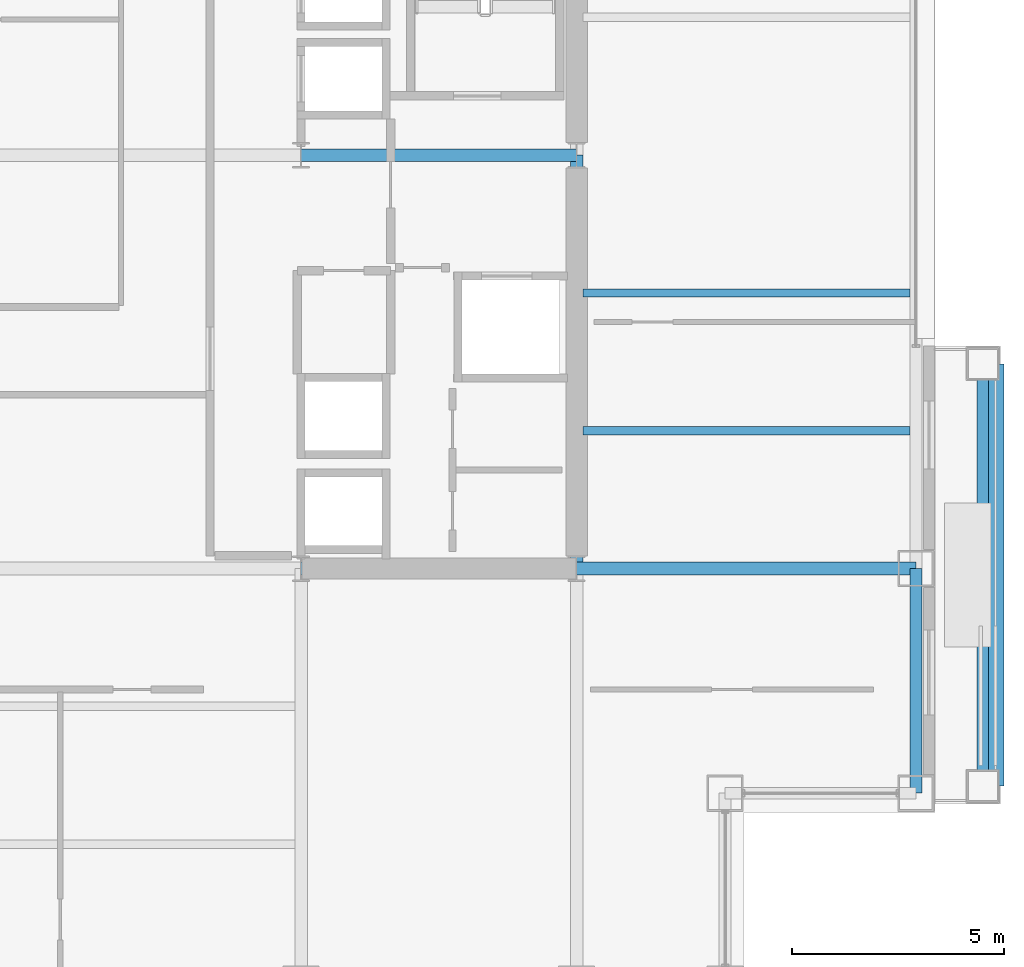
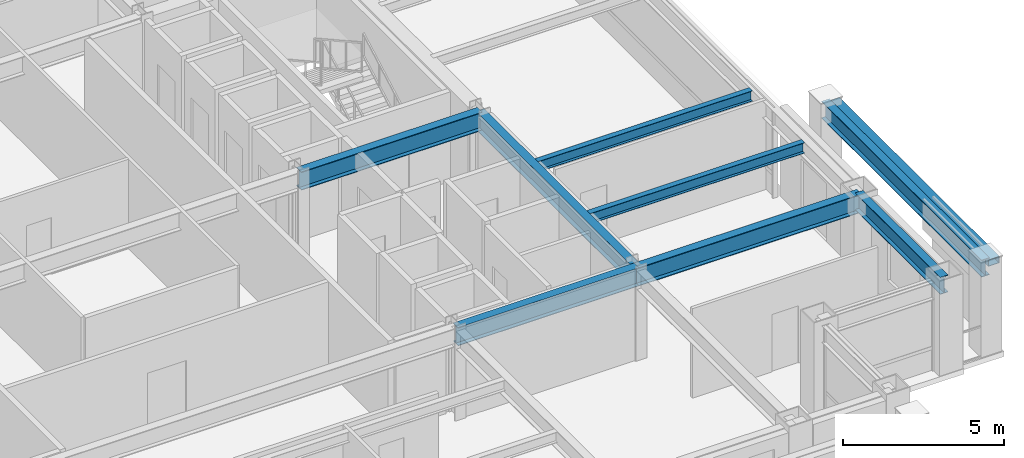
# One storey, part 14 of 31: 8 beams, 1 member.
"""IFC4 building model written with IfcOpenShell, lengths in metres."""

from ifc_helpers import new_model, si_unit, direction, frame, origin, origin_2d, place, context, subcontext, project, spatial, hollow_rectangle, i_section, extrude, material, material_profile, profile_set, type_object, element, save


model = new_model("IFC4")

# Units and contexts
model_context = context("Model", 3, precision=1e-05, world=origin(), true_north=direction((0.0, 1.0)))
body_context = subcontext(model_context, "Body", "Model", "MODEL_VIEW")
ifc_project = project(units=[si_unit("LENGTHUNIT", "METRE"), si_unit("AREAUNIT", "SQUARE_METRE"), si_unit("VOLUMEUNIT", "CUBIC_METRE"), si_unit("PLANEANGLEUNIT", "RADIAN"), si_unit("MASSUNIT", "GRAM", prefix="KILO")], contexts=[model_context])

# Site, building, storey
site_placement = place(None, origin())
site = spatial("IfcSite", under=ifc_project, at=site_placement, CompositionType="ELEMENT")
building_placement = place(site_placement, origin())
building = spatial("IfcBuilding", under=site, at=building_placement, Name="Brelmoor Portico Tower", CompositionType="ELEMENT")
storey_placement = place(building_placement, frame((0.0, 0.0, 113.39990234375)))
storey = spatial("IfcBuildingStorey", under=building, at=storey_placement, Name="L29", CompositionType="ELEMENT", Elevation=113.39990234375)

# Beams
ifc_material_1 = material(Name="Steel Q355B", Category="steel")
ifc_material_profile_1 = material_profile(ifc_material_1, i_section(OverallWidth=0.199951171875, OverallDepth=0.39990234375, WebThickness=0.008056640625, FlangeThickness=0.012939453125, at=origin_2d()), Name="HN 400x200x8x13")
ifc_profile_set_1 = profile_set([ifc_material_profile_1], Name="Steel Q355B")
beam_type_1 = type_object("IfcBeamType", Name="BM-JS-400", PredefinedType="JOIST", material=ifc_profile_set_1)
for number, where, z_axis, x_axis, name in (
    (1, (14.699951171875, -6.5, 3.2001953125), (1.0, 0.0, 0.0), (0.0, 1.0, 0.0), "L29 Secondary Wing Joist JS-E09"),
    (2, (14.699951171875, -3.25, 3.2001953125), (1.0, 0.0, 0.0), (0.0, 1.0, 0.0), "L29 Secondary Wing Joist JS-E10"),
):
    element("IfcBeam", number, at=place(storey_placement, frame(where, z_axis=z_axis, x_axis=x_axis)), inside=storey, type_object=beam_type_1, Name=name, PredefinedType="JOIST", context=body_context, shape_type="SweptSolid", body=[
        extrude(i_section(OverallWidth=0.199951171875, OverallDepth=0.39990234375, WebThickness=0.008056640625, FlangeThickness=0.012939453125, at=origin_2d()), origin(), (0.0, 0.0, 1.0), 7.7099609375),
    ])
ifc_material_profile_2 = material_profile(ifc_material_1, i_section(OverallWidth=0.300048828125, OverallDepth=0.699951171875, WebThickness=0.012939453125, FlangeThickness=0.02392578125, at=origin_2d()), Name="HN 700x300x13x24")
ifc_profile_set_2 = profile_set([ifc_material_profile_2], Name="Steel Q355B")
beam_type_2 = type_object("IfcBeamType", Name="BM-PG-700", PredefinedType="BEAM", material=ifc_profile_set_2)
beam_1_placement = place(storey_placement, frame((14.550048828125, -9.75, 3.050048828125), z_axis=(0.0, 1.0, 0.0), x_axis=(-1.0, 0.0, 0.0)))
element("IfcBeam", 3, at=beam_1_placement, inside=storey, type_object=beam_type_2, Name="L29 Primary Floor Girder PG-11", PredefinedType="BEAM", context=body_context, shape_type="SweptSolid", body=[
    extrude(i_section(OverallWidth=0.300048828125, OverallDepth=0.699951171875, WebThickness=0.012939453125, FlangeThickness=0.02392578125, at=origin_2d()), origin(), (0.0, 0.0, 1.0), 9.75),
])
beam_2_placement = place(storey_placement, frame((8.050048828125, -9.75, 3.050048828125), z_axis=(1.0, 0.0, 0.0), x_axis=(0.0, 1.0, 0.0)))
element("IfcBeam", 4, at=beam_2_placement, inside=storey, type_object=beam_type_2, Name="L29 Primary Floor Girder PG-17", PredefinedType="BEAM", context=body_context, shape_type="SweptSolid", body=[
    extrude(i_section(OverallWidth=0.300048828125, OverallDepth=0.699951171875, WebThickness=0.012939453125, FlangeThickness=0.02392578125, at=origin_2d()), origin(), (0.0, 0.0, 1.0), 6.5),
])
beam_3_placement = place(storey_placement, frame((14.550048828125, -9.75, 3.050048828125), z_axis=(1.0, 0.0, 0.0), x_axis=(0.0, 1.0, 0.0)))
element("IfcBeam", 5, at=beam_3_placement, inside=storey, type_object=beam_type_2, Name="L29 Primary Floor Girder PG-18", PredefinedType="BEAM", context=body_context, shape_type="SweptSolid", body=[
    extrude(i_section(OverallWidth=0.300048828125, OverallDepth=0.699951171875, WebThickness=0.012939453125, FlangeThickness=0.02392578125, at=origin_2d()), origin(), (0.0, 0.0, 1.0), 8.0),
])
beam_4_placement = place(storey_placement, frame((8.050048828125, 0.0, 3.050048828125), z_axis=(1.0, 0.0, 0.0), x_axis=(0.0, 1.0, 0.0)))
element("IfcBeam", 6, at=beam_4_placement, inside=storey, type_object=beam_type_2, Name="L29 Primary Floor Girder PG-21", PredefinedType="BEAM", context=body_context, shape_type="SweptSolid", body=[
    extrude(i_section(OverallWidth=0.300048828125, OverallDepth=0.699951171875, WebThickness=0.012939453125, FlangeThickness=0.02392578125, at=origin_2d()), origin(), (0.0, 0.0, 1.0), 6.5),
])
ifc_material_profile_3 = material_profile(ifc_material_1, i_section(OverallWidth=0.280029296875, OverallDepth=0.64990234375, WebThickness=0.012939453125, FlangeThickness=0.02197265625, at=origin_2d()), Name="HN 650x280x13x22")
ifc_profile_set_3 = profile_set([ifc_material_profile_3], Name="Steel Q355B")
beam_type_3 = type_object("IfcBeamType", Name="BM-SP-650", PredefinedType="SPANDREL", material=ifc_profile_set_3)
beam_5_placement = place(storey_placement, frame((22.550048828125, -15.050048828125, 3.0751953125), z_axis=(0.0, 1.0, 0.0), x_axis=(-1.0, 0.0, 0.0)))
element("IfcBeam", 7, at=beam_5_placement, inside=storey, type_object=beam_type_3, Name="L29 Perimeter Spandrel Beam SP-22", PredefinedType="SPANDREL", context=body_context, shape_type="SweptSolid", body=[
    extrude(i_section(OverallWidth=0.280029296875, OverallDepth=0.64990234375, WebThickness=0.012939453125, FlangeThickness=0.02197265625, at=origin_2d()), origin(), (0.0, 0.0, 1.0), 5.300048828125),
])
beam_6_placement = place(storey_placement, frame((24.1298828125, -14.8798828125, 3.0751953125), z_axis=(0.0, 1.0, 0.0), x_axis=(-1.0, 0.0, 0.0)))
element("IfcBeam", 8, at=beam_6_placement, inside=storey, type_object=beam_type_3, Name="L29 Picture-Frame Perimeter Lintel Beam E1", PredefinedType="SPANDREL", context=body_context, shape_type="SweptSolid", body=[
    extrude(i_section(OverallWidth=0.280029296875, OverallDepth=0.64990234375, WebThickness=0.012939453125, FlangeThickness=0.02197265625, at=origin_2d()), origin(), (0.0, 0.0, 1.0), 9.9599609375),
])

# Member
ifc_material_2 = material(Name="Pale Champagne Fluoropolymer-Coated Steel Q355B", Category="steel")
ifc_material_profile_4 = material_profile(ifc_material_2, hollow_rectangle(XDim=0.25, YDim=0.39990234375, WallThickness=0.013916015625, at=origin_2d()), Name="RHS 250x400x14")
ifc_profile_set_4 = profile_set([ifc_material_profile_4], Name="Pale Champagne Fluoropolymer-Coated Steel Q355B")
member_type = type_object("IfcMemberType", Name="MB-PF-HEADER", PredefinedType="MEMBER", material=ifc_profile_set_4)
member_placement = place(storey_placement, frame((24.429931640625, -14.8798828125, 3.2001953125), z_axis=(0.0, 1.0, 0.0), x_axis=(0.0, 0.0, 1.0)))
element("IfcMember", 9, at=member_placement, inside=storey, type_object=member_type, Name="L29 Picture-Frame Header E", PredefinedType="MEMBER", context=body_context, shape_type="SweptSolid", body=[
    extrude(hollow_rectangle(XDim=0.25, YDim=0.39990234375, WallThickness=0.013916015625, at=origin_2d()), origin(), (0.0, 0.0, 1.0), 9.9599609375),
])

save(model, "model.ifc")
